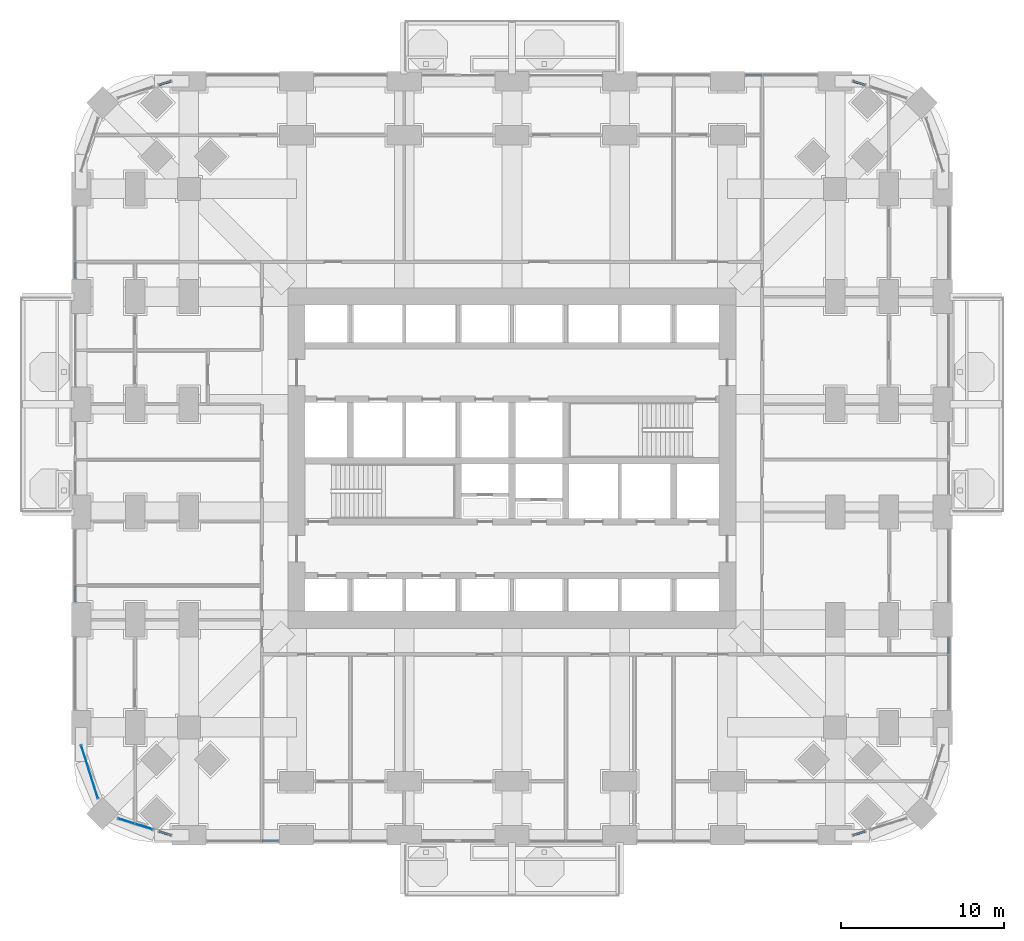
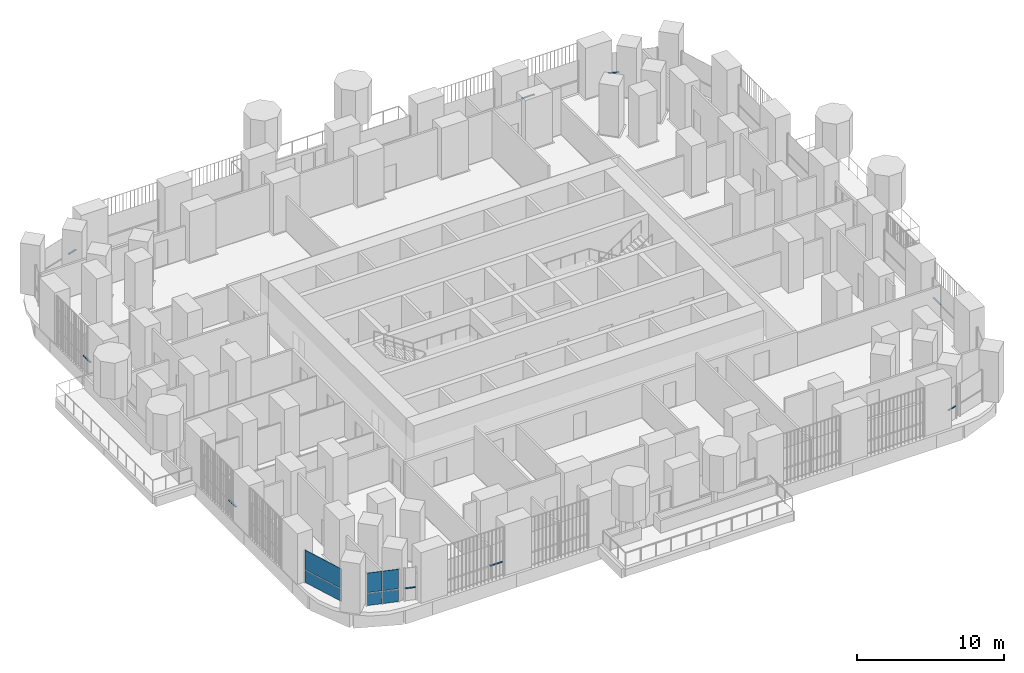
# One storey, part 10 of 26: 9 members, 6 plates, 11 elements without a shape of their own.
"""IFC4 building model written with IfcOpenShell, lengths in metres."""

from ifc_helpers import new_model, si_unit, direction, frame, origin, origin_2d, place, context, subcontext, project, spatial, rectangle, extrude, material, layer, layer_set, material_profile, profile_set, type_object, element, aggregate, save


model = new_model("IFC4")

# Units and contexts
model_context = context("Model", 3, precision=1e-05, world=origin(), true_north=direction((0.0, 1.0)))
body_context = subcontext(model_context, "Body", "Model", "MODEL_VIEW")
ifc_project = project(units=[si_unit("LENGTHUNIT", "METRE"), si_unit("AREAUNIT", "SQUARE_METRE"), si_unit("VOLUMEUNIT", "CUBIC_METRE"), si_unit("PLANEANGLEUNIT", "RADIAN"), si_unit("MASSUNIT", "GRAM", prefix="KILO")], contexts=[model_context])

# Site, building, storey
site_placement = place(None, origin())
site = spatial("IfcSite", under=ifc_project, at=site_placement, CompositionType="ELEMENT")
building_placement = place(site_placement, origin())
building = spatial("IfcBuilding", under=site, at=building_placement, Name="Cobogo Forest Laboratory Tower", CompositionType="ELEMENT")
storey_placement = place(building_placement, frame((0.0, 0.0, 42.300048828125)))
storey = spatial("IfcBuildingStorey", under=building, at=storey_placement, Name="L09", CompositionType="ELEMENT", Elevation=42.300048828125)

# Curtain wall, member
ifc_material_1 = material(Name="Aluminium curtain wall", Category="aluminium")
curtain_wall_type = type_object("IfcCurtainWallType", Name="CW-1 unitised curtain wall, clear glazing, laboratory floors zones A and B", PredefinedType="USERDEFINED", material=ifc_material_1)
curtain_wall_1_placement = place(storey_placement, origin())
curtain_wall_1 = element("IfcCurtainWall", 1, at=curtain_wall_1_placement, inside=storey, type_object=curtain_wall_type, Name="Curtain wall 01 L09", ObjectType="UNITISED CURTAIN WALL", PredefinedType="USERDEFINED")
ifc_material_2 = material(Name="Aluminium transom", Category="aluminium")
ifc_material_profile = material_profile(ifc_material_2, rectangle(XDim=0.1201171875, YDim=0.06005859375, at=origin_2d()), Name="AL 60x120")
ifc_profile_set = profile_set([ifc_material_profile], Name="Aluminium transom")
member_type = type_object("IfcMemberType", Name="TR-1 aluminium transom 60x120", PredefinedType="USERDEFINED", material=ifc_profile_set)
member_1_placement = place(storey_placement, frame((11.10498046875, -0.35009765625, 1.050048828125), z_axis=(1.0, 0.0, 0.0), x_axis=(0.0, 1.0, 0.0)))
member_1 = element("IfcMember", 2, at=member_1_placement, type_object=member_type, Name="CW-1 transom 2.1", ObjectType="TRANSOM", PredefinedType="USERDEFINED", context=body_context, shape_type="SweptSolid", body=[
    extrude(rectangle(XDim=0.1201171875, YDim=0.06005859375, at=origin_2d()), origin(), (0.0, 0.0, 1.0), 0.985107421875),
])
aggregate(curtain_wall_1, [member_1])

curtain_wall_2_placement = place(storey_placement, origin())
curtain_wall_2 = element("IfcCurtainWall", 3, at=curtain_wall_2_placement, inside=storey, type_object=curtain_wall_type, Name="Curtain wall 07 L09", ObjectType="UNITISED CURTAIN WALL", PredefinedType="USERDEFINED")
member_2_placement = place(storey_placement, frame((47.30712890625, -0.000244140625, 1.050048828125), z_axis=(0.95359247203, 0.301100311005, 0.0), x_axis=(-0.301100311005, 0.95359247203, 0.0)))
member_2 = element("IfcMember", 4, at=member_2_placement, type_object=member_type, Name="CW-1 transom 1.1", ObjectType="TRANSOM", PredefinedType="USERDEFINED", context=body_context, shape_type="SweptSolid", body=[
    extrude(rectangle(XDim=0.1201171875, YDim=0.06005859375, at=origin_2d()), origin(), (0.0, 0.0, 1.0), 0.75244140625),
])
aggregate(curtain_wall_2, [member_2])

curtain_wall_3_placement = place(storey_placement, origin())
curtain_wall_3 = element("IfcCurtainWall", 5, at=curtain_wall_3_placement, inside=storey, type_object=curtain_wall_type, Name="Curtain wall 10 L09", ObjectType="UNITISED CURTAIN WALL", PredefinedType="USERDEFINED")
member_3_placement = place(storey_placement, frame((53.14990234375, 11.10498046875, 1.050048828125), z_axis=(0.0, 1.0, 0.0), x_axis=(-1.0, 0.0, 0.0)))
member_3 = element("IfcMember", 6, at=member_3_placement, type_object=member_type, Name="CW-1 transom 2.1", ObjectType="TRANSOM", PredefinedType="USERDEFINED", context=body_context, shape_type="SweptSolid", body=[
    extrude(rectangle(XDim=0.1201171875, YDim=0.06005859375, at=origin_2d()), origin(), (0.0, 0.0, 1.0), 0.985107421875),
])
aggregate(curtain_wall_3, [member_3])

curtain_wall_4_placement = place(storey_placement, origin())
curtain_wall_4 = element("IfcCurtainWall", 7, at=curtain_wall_4_placement, inside=storey, type_object=curtain_wall_type, Name="Curtain wall 17 L09", ObjectType="UNITISED CURTAIN WALL", PredefinedType="USERDEFINED")
member_4_placement = place(storey_placement, frame((48.024658203125, 45.973876953125, 1.050048828125), z_axis=(-0.95359247203, 0.301100311005, 0.0), x_axis=(-0.301100311005, -0.95359247203, 0.0)))
member_4 = element("IfcMember", 8, at=member_4_placement, type_object=member_type, Name="CW-1 transom 1.1", ObjectType="TRANSOM", PredefinedType="USERDEFINED", context=body_context, shape_type="SweptSolid", body=[
    extrude(rectangle(XDim=0.1201171875, YDim=0.06005859375, at=origin_2d()), origin(), (0.0, 0.0, 1.0), 0.75244140625),
])
aggregate(curtain_wall_4, [member_4])

curtain_wall_5_placement = place(storey_placement, origin())
curtain_wall_5 = element("IfcCurtainWall", 9, at=curtain_wall_5_placement, inside=storey, type_object=curtain_wall_type, Name="Curtain wall 18 L09", ObjectType="UNITISED CURTAIN WALL", PredefinedType="USERDEFINED")
member_5_placement = place(storey_placement, frame((41.695068359375, 46.550048828125, 1.050048828125), z_axis=(-1.0, 0.0, 0.0), x_axis=(0.0, -1.0, 0.0)))
member_5 = element("IfcMember", 10, at=member_5_placement, type_object=member_type, Name="CW-1 transom 2.1", ObjectType="TRANSOM", PredefinedType="USERDEFINED", context=body_context, shape_type="SweptSolid", body=[
    extrude(rectangle(XDim=0.1201171875, YDim=0.06005859375, at=origin_2d()), origin(), (0.0, 0.0, 1.0), 0.985107421875),
])
aggregate(curtain_wall_5, [member_5])

curtain_wall_6_placement = place(storey_placement, origin())
curtain_wall_6 = element("IfcCurtainWall", 11, at=curtain_wall_6_placement, inside=storey, type_object=curtain_wall_type, Name="Curtain wall 24 L09", ObjectType="UNITISED CURTAIN WALL", PredefinedType="USERDEFINED")
member_6_placement = place(storey_placement, frame((5.49267578125, 46.200439453125, 1.050048828125), z_axis=(-0.953563042236, -0.301193500066, 0.0), x_axis=(0.301193500066, -0.953563042236, 0.0)))
member_6 = element("IfcMember", 12, at=member_6_placement, type_object=member_type, Name="CW-1 transom 1.1", ObjectType="TRANSOM", PredefinedType="USERDEFINED", context=body_context, shape_type="SweptSolid", body=[
    extrude(rectangle(XDim=0.1201171875, YDim=0.06005859375, at=origin_2d()), origin(), (0.0, 0.0, 1.0), 0.752197265625),
])
aggregate(curtain_wall_6, [member_6])

curtain_wall_7_placement = place(storey_placement, origin())
curtain_wall_7 = element("IfcCurtainWall", 13, at=curtain_wall_7_placement, inside=storey, type_object=curtain_wall_type, Name="Curtain wall 27 L09", ObjectType="UNITISED CURTAIN WALL", PredefinedType="USERDEFINED")
member_7_placement = place(storey_placement, frame((-0.35009765625, 35.094970703125, 1.050048828125), z_axis=(0.0, -1.0, 0.0), x_axis=(1.0, 0.0, 0.0)))
member_7 = element("IfcMember", 14, at=member_7_placement, type_object=member_type, Name="CW-1 transom 2.1", ObjectType="TRANSOM", PredefinedType="USERDEFINED", context=body_context, shape_type="SweptSolid", body=[
    extrude(rectangle(XDim=0.1201171875, YDim=0.06005859375, at=origin_2d()), origin(), (0.0, 0.0, 1.0), 0.98486328125),
])
aggregate(curtain_wall_7, [member_7])

curtain_wall_8_placement = place(storey_placement, origin())
curtain_wall_8 = element("IfcCurtainWall", 15, at=curtain_wall_8_placement, inside=storey, type_object=curtain_wall_type, Name="Curtain wall 30 L09", ObjectType="UNITISED CURTAIN WALL", PredefinedType="USERDEFINED")
member_8_placement = place(storey_placement, frame((-0.35009765625, 15.27001953125, 1.050048828125), z_axis=(0.0, -1.0, 0.0), x_axis=(1.0, 0.0, 0.0)))
member_8 = element("IfcMember", 16, at=member_8_placement, type_object=member_type, Name="CW-1 transom 2.1", ObjectType="TRANSOM", PredefinedType="USERDEFINED", context=body_context, shape_type="SweptSolid", body=[
    extrude(rectangle(XDim=0.1201171875, YDim=0.06005859375, at=origin_2d()), origin(), (0.0, 0.0, 1.0), 0.9599609375),
])
aggregate(curtain_wall_8, [member_8])

curtain_wall_9_placement = place(storey_placement, origin())
curtain_wall_9 = element("IfcCurtainWall", 17, at=curtain_wall_9_placement, inside=storey, type_object=curtain_wall_type, Name="Curtain wall 34 L09", ObjectType="UNITISED CURTAIN WALL", PredefinedType="USERDEFINED")
member_9_placement = place(storey_placement, frame((4.775390625, 0.226318359375, 1.050048828125), z_axis=(0.953563042236, -0.301193500066, 0.0), x_axis=(0.301193500066, 0.953563042236, 0.0)))
member_9 = element("IfcMember", 18, at=member_9_placement, type_object=member_type, Name="CW-1 transom 1.1", ObjectType="TRANSOM", PredefinedType="USERDEFINED", context=body_context, shape_type="SweptSolid", body=[
    extrude(rectangle(XDim=0.1201171875, YDim=0.06005859375, at=origin_2d()), origin(), (0.0, 0.0, 1.0), 0.752197265625),
])
aggregate(curtain_wall_9, [member_9])

# Curtain wall, plates
curtain_wall_10_placement = place(storey_placement, origin())
curtain_wall_10 = element("IfcCurtainWall", 19, at=curtain_wall_10_placement, inside=storey, type_object=curtain_wall_type, Name="Curtain wall 32 L09", ObjectType="UNITISED CURTAIN WALL", PredefinedType="USERDEFINED")
ifc_material_3 = material(Name="Clear insulated glass", Category="glass")
ifc_layer = layer(ifc_material_3, 0.028076171875)
ifc_layer_set = layer_set([ifc_layer], Name="GP-1 clear insulated glass unit 28")
plate_type = type_object("IfcPlateType", Name="GP-1 clear insulated glass unit 28", PredefinedType="CURTAIN_PANEL", material=ifc_layer_set)
plate_1_placement = place(storey_placement, frame((0.509033203125, 3.880126953125, 0.0), z_axis=(0.0, 0.0, 1.0), x_axis=(0.30113535792, -0.95358140513, 0.0)))
plate_1 = element("IfcPlate", 20, at=plate_1_placement, type_object=plate_type, Name="CW-1 panel 1.1", PredefinedType="CURTAIN_PANEL", context=body_context, shape_type="SweptSolid", body=[
    extrude(rectangle(XDim=3.382568359375, YDim=0.028076171875, at=origin_2d()), origin(), (0.0, 0.0, 1.0), 1.02001953125),
])
plate_2_placement = place(storey_placement, frame((0.509033203125, 3.880126953125, 1.079833984375), z_axis=(0.0, 0.0, 1.0), x_axis=(0.30113535792, -0.95358140513, 0.0)))
plate_2 = element("IfcPlate", 21, at=plate_2_placement, type_object=plate_type, Name="CW-1 panel 1.2", PredefinedType="CURTAIN_PANEL", context=body_context, shape_type="SweptSolid", body=[
    extrude(rectangle(XDim=3.382568359375, YDim=0.028076171875, at=origin_2d()), origin(), (0.0, 0.0, 1.0), 1.6201171875),
])
aggregate(curtain_wall_10, [plate_1, plate_2])

curtain_wall_11_placement = place(storey_placement, origin())
curtain_wall_11 = element("IfcCurtainWall", 22, at=curtain_wall_11_placement, inside=storey, type_object=curtain_wall_type, Name="Curtain wall 33 L09", ObjectType="UNITISED CURTAIN WALL", PredefinedType="USERDEFINED")
plate_3_placement = place(storey_placement, frame((2.75732421875, 0.863525390625, 0.0), z_axis=(0.0, 0.0, 1.0), x_axis=(0.953581409645, -0.301135343623, 0.0)))
plate_3 = element("IfcPlate", 23, at=plate_3_placement, type_object=plate_type, Name="CW-1 panel 1.1", PredefinedType="CURTAIN_PANEL", context=body_context, shape_type="SweptSolid", body=[
    extrude(rectangle(XDim=1.027587890625, YDim=0.028076171875, at=origin_2d()), origin(), (0.0, 0.0, 1.0), 1.02001953125),
])
plate_4_placement = place(storey_placement, frame((2.75732421875, 0.863525390625, 1.079833984375), z_axis=(0.0, 0.0, 1.0), x_axis=(0.953581409645, -0.301135343623, 0.0)))
plate_4 = element("IfcPlate", 24, at=plate_4_placement, type_object=plate_type, Name="CW-1 panel 1.2", PredefinedType="CURTAIN_PANEL", context=body_context, shape_type="SweptSolid", body=[
    extrude(rectangle(XDim=1.027587890625, YDim=0.028076171875, at=origin_2d()), origin(), (0.0, 0.0, 1.0), 1.6201171875),
])
plate_5_placement = place(storey_placement, frame((3.83642578125, 0.522705078125, 0.0), z_axis=(0.0, 0.0, 1.0), x_axis=(0.953581409645, -0.301135343623, 0.0)))
plate_5 = element("IfcPlate", 25, at=plate_5_placement, type_object=plate_type, Name="CW-1 panel 2.1", PredefinedType="CURTAIN_PANEL", context=body_context, shape_type="SweptSolid", body=[
    extrude(rectangle(XDim=1.11572265625, YDim=0.028076171875, at=origin_2d()), origin(), (0.0, 0.0, 1.0), 1.02001953125),
])
plate_6_placement = place(storey_placement, frame((3.83642578125, 0.522705078125, 1.079833984375), z_axis=(0.0, 0.0, 1.0), x_axis=(0.953581409645, -0.301135343623, 0.0)))
plate_6 = element("IfcPlate", 26, at=plate_6_placement, type_object=plate_type, Name="CW-1 panel 2.2", PredefinedType="CURTAIN_PANEL", context=body_context, shape_type="SweptSolid", body=[
    extrude(rectangle(XDim=1.11572265625, YDim=0.028076171875, at=origin_2d()), origin(), (0.0, 0.0, 1.0), 1.6201171875),
])
aggregate(curtain_wall_11, [plate_3, plate_4, plate_5, plate_6])

save(model, "model.ifc")
